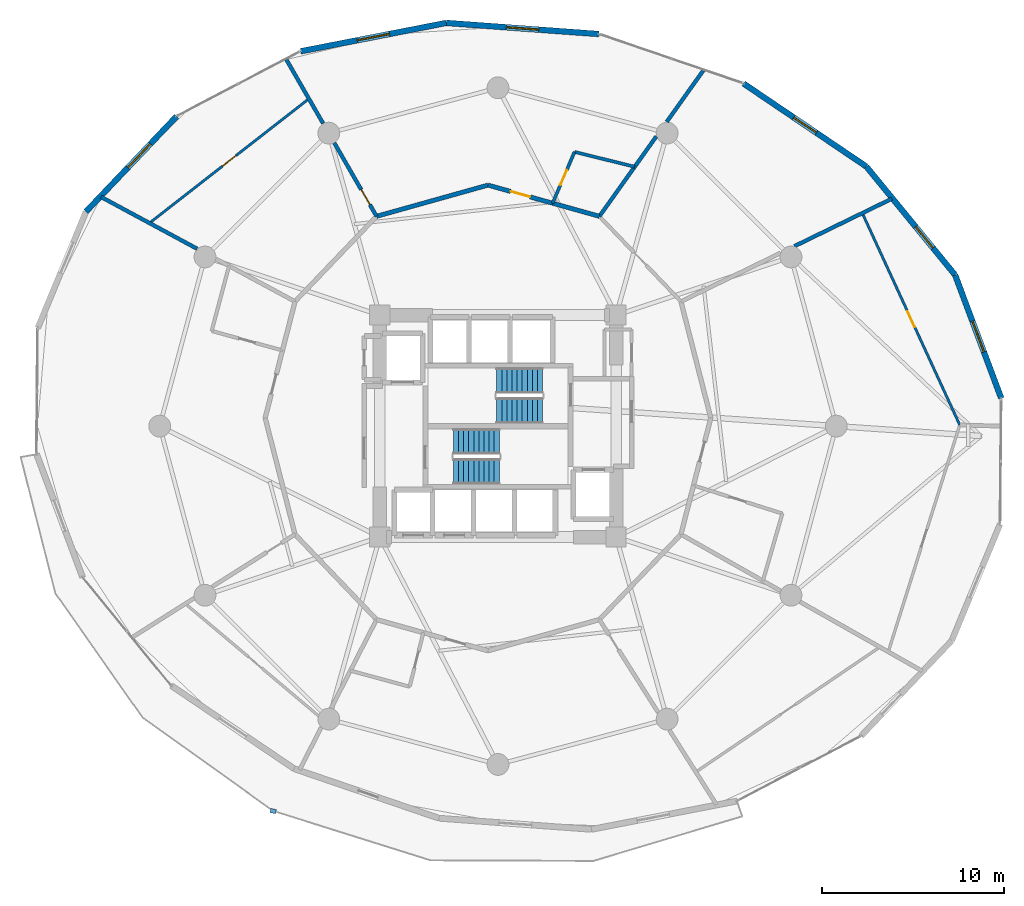
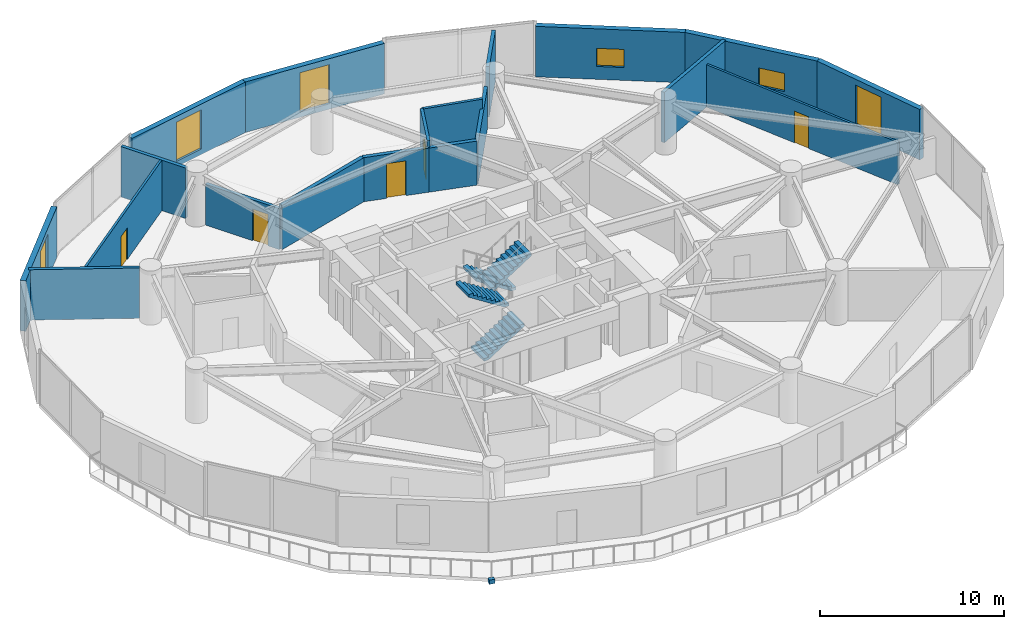
# One storey, part 17 of 20: 19 walls, 6 windows, 5 doors, 4 stair flights, 1 discrete accessory, 11 openings, 2 elements without a shape of their own.
"""IFC4 building model written with IfcOpenShell, lengths in metres."""

from ifc_helpers import new_model, si_unit, direction, frame, frame_2d, origin, origin_2d, place, context, subcontext, project, spatial, polyline, rectangle, outline, extrude, material, layer, layer_set, type_object, element, fill, aggregate, save


model = new_model("IFC4")

# Units and contexts
model_context = context("Model", 3, precision=1e-05, world=origin(), true_north=direction((0.0, 1.0)))
body_context = subcontext(model_context, "Body", "Model", "MODEL_VIEW")
ifc_project = project(units=[si_unit("LENGTHUNIT", "METRE"), si_unit("AREAUNIT", "SQUARE_METRE"), si_unit("VOLUMEUNIT", "CUBIC_METRE"), si_unit("PLANEANGLEUNIT", "RADIAN"), si_unit("MASSUNIT", "GRAM", prefix="KILO")], contexts=[model_context])

# Site, building, storey
site_placement = place(None, origin())
site = spatial("IfcSite", under=ifc_project, at=site_placement, CompositionType="ELEMENT")
building_placement = place(site_placement, origin())
building = spatial("IfcBuilding", under=site, at=building_placement, Name="Solvirekh Grand Hotel", CompositionType="ELEMENT")
storey_placement = place(building_placement, frame((0.0, 0.0, 50.0)))
storey = spatial("IfcBuildingStorey", under=building, at=storey_placement, Name="L11", CompositionType="ELEMENT", Elevation=50.0)

# Wall, opening, window
ifc_material_1 = material(Name="Precast concrete C45/55", Category="concrete")
ifc_layer_1 = layer(ifc_material_1, 0.320068359375)
ifc_layer_set_1 = layer_set([ifc_layer_1], Name="Precast concrete C45/55")
wall_type_1 = type_object("IfcWallType", Name="ExtLobbyWall_RC320", PredefinedType="SOLIDWALL", material=ifc_layer_set_1)
wall_1_placement = place(storey_placement, frame((25.135986328125, 8.30810546875, 0.0), z_axis=(0.0, 0.0, 1.0), x_axis=(0.350187429463, -0.936679648677, 0.0)))
wall_1 = element("IfcWall", 1, at=wall_1_placement, inside=storey, type_object=wall_type_1, Name="L11 exterior structural wall chord 2", PredefinedType="SOLIDWALL", context=body_context, shape_type="SweptSolid", body=[
    extrude(rectangle(XDim=7.233154296875, YDim=0.320068359375, at=frame_2d((3.61669921875, 0.0))), origin(), (0.0, 0.0, 1.0), 3.340087890625),
])
opening_1_placement = place(wall_1_placement, frame((2.717041015625, 0.0, 0.35009765625)))
opening_1 = element("IfcOpeningElement", 2, at=opening_1_placement, cuts=wall_1, Name="Opening W02", PredefinedType="OPENING", context=body_context, shape_type="SweptSolid", body=[
    extrude(rectangle(XDim=1.800048828125, YDim=2.60009765625, at=frame_2d((0.89990234375, 1.300048828125))), frame((0.0, 0.169921875, 0.0), z_axis=(0.0, -1.0, 0.0), x_axis=(1.0, 0.0, 0.0)), (0.0, 0.0, 1.0), 0.340087890625),
])
ifc_material_2 = material(Name="Low-E Tinted Bronze Laminated Glass", Category="aluminium")
window_type_1 = type_object("IfcWindowType", Name="Win_LobbyExt_1800X2600", PartitioningType="SINGLE_PANEL", PredefinedType="WINDOW", material=ifc_material_2)
window_1_placement = place(opening_1_placement, origin())
window_1 = element("IfcWindow", 3, at=window_1_placement, inside=storey, type_object=window_type_1, Name="L11 panoramic bronze-framed window 2", OverallHeight=2.60009765625, OverallWidth=1.800048828125, PartitioningType="SINGLE_PANEL", PredefinedType="WINDOW", context=body_context, shape_type="SweptSolid", body=[
    extrude(rectangle(XDim=1.800048828125, YDim=2.60009765625, at=frame_2d((0.89990234375, 1.300048828125))), frame((0.0, 0.030029296875, 0.0), z_axis=(0.0, -1.0, 0.0), x_axis=(1.0, 0.0, 0.0)), (0.0, 0.0, 1.0), 0.06005859375),
])
fill(opening_1, window_1)

wall_2_placement = place(storey_placement, frame((20.2548828125, 14.27001953125, 0.0), z_axis=(0.0, 0.0, 1.0), x_axis=(0.633484495702, -0.773755383636, 0.0)))
wall_2 = element("IfcWall", 4, at=wall_2_placement, inside=storey, type_object=wall_type_1, Name="L11 cantilevered deck support wall chord 3", PredefinedType="SOLIDWALL", context=body_context, shape_type="SweptSolid", body=[
    extrude(rectangle(XDim=7.705078125, YDim=0.320068359375, at=frame_2d((3.8525390625, 0.0))), origin(), (0.0, 0.0, 1.0), 3.340087890625),
])
opening_2_placement = place(wall_2_placement, frame((4.279052734375, 0.0, 0.85009765625)))
opening_2 = element("IfcOpeningElement", 5, at=opening_2_placement, cuts=wall_2, Name="Opening W05", PredefinedType="OPENING", context=body_context, shape_type="SweptSolid", body=[
    extrude(rectangle(XDim=1.5, YDim=1.199951171875, at=frame_2d((0.75, 0.60009765625))), frame((0.0, 0.169921875, 0.0), z_axis=(0.0, -1.0, 0.0), x_axis=(1.0, 0.0, 0.0)), (0.0, 0.0, 1.0), 0.340087890625),
])
window_type_2 = type_object("IfcWindowType", Name="Win_PlantVent_1500X1200", PartitioningType="SINGLE_PANEL", PredefinedType="WINDOW", material=ifc_material_2)
window_2_placement = place(opening_2_placement, origin())
window_2 = element("IfcWindow", 6, at=window_2_placement, inside=storey, type_object=window_type_2, Name="L11 bronze-framed vision ribbon window 3", OverallHeight=1.199951171875, OverallWidth=1.5, PartitioningType="SINGLE_PANEL", PredefinedType="WINDOW", context=body_context, shape_type="SweptSolid", body=[
    extrude(rectangle(XDim=1.5, YDim=1.199951171875, at=frame_2d((0.75, 0.60009765625))), frame((0.0, 0.030029296875, 0.0), z_axis=(0.0, -1.0, 0.0), x_axis=(1.0, 0.0, 0.0)), (0.0, 0.0, 1.0), 0.06005859375),
])
fill(opening_2, window_2)

wall_3_placement = place(storey_placement, frame((13.50390625, 18.8349609375, 0.0), z_axis=(0.0, 0.0, 1.0), x_axis=(0.828391352283, -0.560149772349, 0.0)))
wall_3 = element("IfcWall", 7, at=wall_3_placement, inside=storey, type_object=wall_type_1, Name="L11 cantilevered deck support wall chord 4", PredefinedType="SOLIDWALL", context=body_context, shape_type="SweptSolid", body=[
    extrude(rectangle(XDim=8.1494140625, YDim=0.320068359375, at=frame_2d((4.07470703125, 0.0))), origin(), (0.0, 0.0, 1.0), 3.340087890625),
])
opening_3_placement = place(wall_3_placement, frame((3.324951171875, 0.0, 0.85009765625)))
opening_3 = element("IfcOpeningElement", 8, at=opening_3_placement, cuts=wall_3, Name="Opening W05", PredefinedType="OPENING", context=body_context, shape_type="SweptSolid", body=[
    extrude(rectangle(XDim=1.5, YDim=1.199951171875, at=frame_2d((0.75, 0.60009765625))), frame((0.0, 0.169921875, 0.0), z_axis=(0.0, -1.0, 0.0), x_axis=(1.0, 0.0, 0.0)), (0.0, 0.0, 1.0), 0.340087890625),
])
window_3_placement = place(opening_3_placement, origin())
window_3 = element("IfcWindow", 9, at=window_3_placement, inside=storey, type_object=window_type_2, Name="L11 bronze-framed vision ribbon window 4", OverallHeight=1.199951171875, OverallWidth=1.5, PartitioningType="SINGLE_PANEL", PredefinedType="WINDOW", context=body_context, shape_type="SweptSolid", body=[
    extrude(rectangle(XDim=1.5, YDim=1.199951171875, at=frame_2d((0.75, 0.60009765625))), frame((0.0, 0.030029296875, 0.0), z_axis=(0.0, -1.0, 0.0), x_axis=(1.0, 0.0, 0.0)), (0.0, 0.0, 1.0), 0.06005859375),
])
fill(opening_3, window_3)

wall_4_placement = place(storey_placement, frame((-2.846923828125, 22.16796875, 0.0), z_axis=(0.0, 0.0, 1.0), x_axis=(0.997358597799, -0.072634891044, 0.0)))
wall_4 = element("IfcWall", 10, at=wall_4_placement, inside=storey, type_object=wall_type_1, Name="L11 exterior structural wall chord 6", PredefinedType="SOLIDWALL", context=body_context, shape_type="SweptSolid", body=[
    extrude(rectangle(XDim=8.4130859375, YDim=0.320068359375, at=frame_2d((4.20654296875, 0.0))), origin(), (0.0, 0.0, 1.0), 3.340087890625),
])
opening_4_placement = place(wall_4_placement, frame((3.306884765625, 0.0, 0.35009765625)))
opening_4 = element("IfcOpeningElement", 11, at=opening_4_placement, cuts=wall_4, Name="Opening W02", PredefinedType="OPENING", context=body_context, shape_type="SweptSolid", body=[
    extrude(rectangle(XDim=1.800048828125, YDim=2.60009765625, at=frame_2d((0.89990234375, 1.300048828125))), frame((0.0, 0.169921875, 0.0), z_axis=(0.0, -1.0, 0.0), x_axis=(1.0, 0.0, 0.0)), (0.0, 0.0, 1.0), 0.340087890625),
])
window_4_placement = place(opening_4_placement, origin())
window_4 = element("IfcWindow", 12, at=window_4_placement, inside=storey, type_object=window_type_1, Name="L11 panoramic bronze-framed window 6", OverallHeight=2.60009765625, OverallWidth=1.800048828125, PartitioningType="SINGLE_PANEL", PredefinedType="WINDOW", context=body_context, shape_type="SweptSolid", body=[
    extrude(rectangle(XDim=1.800048828125, YDim=2.60009765625, at=frame_2d((0.89990234375, 1.300048828125))), frame((0.0, 0.030029296875, 0.0), z_axis=(0.0, -1.0, 0.0), x_axis=(1.0, 0.0, 0.0)), (0.0, 0.0, 1.0), 0.06005859375),
])
fill(opening_4, window_4)

wall_5_placement = place(storey_placement, frame((-10.845947265625, 20.60888671875, 0.0), z_axis=(0.0, 0.0, 1.0), x_axis=(0.981529850993, 0.191309047382, 0.0)))
wall_5 = element("IfcWall", 13, at=wall_5_placement, inside=storey, type_object=wall_type_1, Name="L11 exterior structural wall chord 7", PredefinedType="SOLIDWALL", context=body_context, shape_type="SweptSolid", body=[
    extrude(rectangle(XDim=8.149658203125, YDim=0.320068359375, at=frame_2d((4.07470703125, 0.0))), origin(), (0.0, 0.0, 1.0), 3.340087890625),
])
opening_5_placement = place(wall_5_placement, frame((3.175048828125, 0.0, 0.35009765625)))
opening_5 = element("IfcOpeningElement", 14, at=opening_5_placement, cuts=wall_5, Name="Opening W02", PredefinedType="OPENING", context=body_context, shape_type="SweptSolid", body=[
    extrude(rectangle(XDim=1.800048828125, YDim=2.60009765625, at=frame_2d((0.89990234375, 1.300048828125))), frame((0.0, 0.169921875, 0.0), z_axis=(0.0, -1.0, 0.0), x_axis=(1.0, 0.0, 0.0)), (0.0, 0.0, 1.0), 0.340087890625),
])
window_5_placement = place(opening_5_placement, origin())
window_5 = element("IfcWindow", 15, at=window_5_placement, inside=storey, type_object=window_type_1, Name="L11 panoramic bronze-framed window 7", OverallHeight=2.60009765625, OverallWidth=1.800048828125, PartitioningType="SINGLE_PANEL", PredefinedType="WINDOW", context=body_context, shape_type="SweptSolid", body=[
    extrude(rectangle(XDim=1.800048828125, YDim=2.60009765625, at=frame_2d((0.89990234375, 1.300048828125))), frame((0.0, 0.030029296875, 0.0), z_axis=(0.0, -1.0, 0.0), x_axis=(1.0, 0.0, 0.0)), (0.0, 0.0, 1.0), 0.06005859375),
])
fill(opening_5, window_5)

wall_6_placement = place(storey_placement, frame((-22.654052734375, 11.7900390625, 0.0), z_axis=(0.0, 0.0, 1.0), x_axis=(0.688922418365, 0.724835085708, 0.0)))
wall_6 = element("IfcWall", 16, at=wall_6_placement, inside=storey, type_object=wall_type_1, Name="L11 exterior structural wall chord 9", PredefinedType="SOLIDWALL", context=body_context, shape_type="SweptSolid", body=[
    extrude(rectangle(XDim=7.233154296875, YDim=0.320068359375, at=frame_2d((3.61669921875, 0.0))), origin(), (0.0, 0.0, 1.0), 3.340087890625),
])
opening_6_placement = place(wall_6_placement, frame((3.344970703125, 0.0, 0.35009765625)))
opening_6 = element("IfcOpeningElement", 17, at=opening_6_placement, cuts=wall_6, Name="Opening W02", PredefinedType="OPENING", context=body_context, shape_type="SweptSolid", body=[
    extrude(rectangle(XDim=1.800048828125, YDim=2.60009765625, at=frame_2d((0.89990234375, 1.300048828125))), frame((0.0, 0.169921875, 0.0), z_axis=(0.0, -1.0, 0.0), x_axis=(1.0, 0.0, 0.0)), (0.0, 0.0, 1.0), 0.340087890625),
])
window_6_placement = place(opening_6_placement, origin())
window_6 = element("IfcWindow", 18, at=window_6_placement, inside=storey, type_object=window_type_1, Name="L11 panoramic bronze-framed window 9", OverallHeight=2.60009765625, OverallWidth=1.800048828125, PartitioningType="SINGLE_PANEL", PredefinedType="WINDOW", context=body_context, shape_type="SweptSolid", body=[
    extrude(rectangle(XDim=1.800048828125, YDim=2.60009765625, at=frame_2d((0.89990234375, 1.300048828125))), frame((0.0, 0.030029296875, 0.0), z_axis=(0.0, -1.0, 0.0), x_axis=(1.0, 0.0, 0.0)), (0.0, 0.0, 1.0), 0.06005859375),
])
fill(opening_6, window_6)

# Walls
ifc_material_3 = material(Name="Acoustic Gypsum Partition Assembly")
ifc_layer_2 = layer(ifc_material_3, 0.239990234375)
ifc_layer_set_2 = layer_set([ifc_layer_2], Name="Acoustic Gypsum Partition Assembly")
wall_type_2 = type_object("IfcWallType", Name="Part_Corridor_240", PredefinedType="PARTITIONING", material=ifc_layer_set_2)
wall_7_placement = place(storey_placement, frame((5.574951171875, 11.534912109375, 0.0), z_axis=(0.0, 0.0, 1.0), x_axis=(-0.962983004146, 0.269562114782, 0.0)))
element("IfcWall", 19, at=wall_7_placement, inside=storey, type_object=wall_type_2, Name="L11 En-suite Bathroom 1301 corridor backing wall", PredefinedType="PARTITIONING", context=body_context, shape_type="SweptSolid", body=[
    extrude(rectangle(XDim=2.6708984375, YDim=0.239990234375, at=frame_2d((1.33544921875, 0.0))), origin(), (0.0, 0.0, 1.0), 2.9189453125),
])
wall_8_placement = place(storey_placement, frame((-0.550048828125, 13.25, 0.0), z_axis=(0.0, 0.0, 1.0), x_axis=(-0.962960431872, -0.269642738915, 0.0)))
element("IfcWall", 20, at=wall_8_placement, inside=storey, type_object=wall_type_2, Name="L11 Diplomatic Suite 1301 Living Room corridor wall 1", PredefinedType="PARTITIONING", context=body_context, shape_type="SweptSolid", body=[
    extrude(rectangle(XDim=6.360595703125, YDim=0.239990234375, at=frame_2d((3.18017578125, 0.0))), origin(), (0.0, 0.0, 1.0), 2.9189453125),
])

# Wall, opening, door
wall_9_placement = place(storey_placement, frame((3.0029296875, 12.2548828125, 0.0), z_axis=(0.0, 0.0, 1.0), x_axis=(-0.962944088122, 0.269701099648, 0.0)))
wall_9 = element("IfcWall", 21, at=wall_9_placement, inside=storey, type_object=wall_type_2, Name="L11 Diplomatic Suite 1301 Living Room entrance wall", PredefinedType="PARTITIONING", context=body_context, shape_type="SweptSolid", body=[
    extrude(rectangle(XDim=3.689697265625, YDim=0.239990234375, at=frame_2d((1.8447265625, 0.0))), origin(), (0.0, 0.0, 1.0), 2.9189453125),
])
opening_7_placement = place(wall_9_placement, frame((1.294921875, 0.0, 0.0)))
opening_7 = element("IfcOpeningElement", 22, at=opening_7_placement, cuts=wall_9, Name="Opening D08", PredefinedType="OPENING", context=body_context, shape_type="SweptSolid", body=[
    extrude(rectangle(XDim=1.10009765625, YDim=2.300048828125, at=frame_2d((0.550048828125, 1.14990234375))), frame((0.0, 0.1298828125, 0.0), z_axis=(0.0, -1.0, 0.0), x_axis=(1.0, 0.0, 0.0)), (0.0, 0.0, 1.0), 0.260009765625),
])
ifc_material_4 = material(Name="Fire-Rated Steel Door Assembly", Category="steel")
door_type_1 = type_object("IfcDoorType", Name="Door_SuiteEntry_1100X2300", OperationType="NOTDEFINED", PredefinedType="DOOR", material=ifc_material_4)
door_1_placement = place(opening_7_placement, origin())
door_1 = element("IfcDoor", 23, at=door_1_placement, inside=storey, type_object=door_type_1, Name="L11 Diplomatic Suite 1301 Living Room entrance door", OperationType="SINGLE_SWING_LEFT", OverallHeight=2.300048828125, OverallWidth=1.10009765625, PredefinedType="DOOR", context=body_context, shape_type="SweptSolid", body=[
    extrude(rectangle(XDim=1.10009765625, YDim=2.300048828125, at=frame_2d((0.550048828125, 1.14990234375))), frame((0.0, 0.02490234375, 0.0), z_axis=(0.0, -1.0, 0.0), x_axis=(1.0, 0.0, 0.0)), (0.0, 0.0, 1.0), 0.050048828125),
])
fill(opening_7, door_1)

ifc_layer_3 = layer(ifc_material_3, 0.135009765625)
ifc_layer_set_3 = layer_set([ifc_layer_3], Name="Acoustic Gypsum Partition Assembly")
wall_type_3 = type_object("IfcWallType", Name="Part_RoomInt_135", PredefinedType="PARTITIONING", material=ifc_layer_set_3)
wall_10_placement = place(storey_placement, frame((-10.39404296875, 17.9970703125, 0.0), z_axis=(0.0, 0.0, 1.0), x_axis=(-0.788726154844, -0.614744705276, 0.0)))
wall_10 = element("IfcWall", 24, at=wall_10_placement, inside=storey, type_object=wall_type_3, Name="L11 Diplomatic Suite 1301 Suite Foyer bedroom screen wall", PredefinedType="PARTITIONING", context=body_context, shape_type="SweptSolid", body=[
    extrude(rectangle(XDim=11.115234375, YDim=0.135009765625, at=frame_2d((5.5576171875, 0.0))), origin(), (0.0, 0.0, 1.0), 3.340087890625),
])
opening_8_placement = place(wall_10_placement, frame((5.0830078125, 0.0, 0.0)))
opening_8 = element("IfcOpeningElement", 25, at=opening_8_placement, cuts=wall_10, Name="Opening D10", PredefinedType="OPENING", context=body_context, shape_type="SweptSolid", body=[
    extrude(rectangle(XDim=0.949951171875, YDim=2.10009765625, at=frame_2d((0.47509765625, 1.050048828125))), frame((0.0, 0.07763671875, 0.0), z_axis=(0.0, -1.0, 0.0), x_axis=(1.0, 0.0, 0.0)), (0.0, 0.0, 1.0), 0.155029296875),
])
ifc_material_5 = material(Name="Anodized Bronze Aluminium 6063-T6", Category="aluminium")
door_type_2 = type_object("IfcDoorType", Name="Door_RoomInt_950X2100", OperationType="NOTDEFINED", PredefinedType="DOOR", material=ifc_material_5)
door_2_placement = place(opening_8_placement, origin())
door_2 = element("IfcDoor", 26, at=door_2_placement, inside=storey, type_object=door_type_2, Name="L11 Diplomatic Suite 1301 Suite Foyer master bedroom door", OperationType="SINGLE_SWING_LEFT", OverallHeight=2.10009765625, OverallWidth=0.949951171875, PredefinedType="DOOR", context=body_context, shape_type="SweptSolid", body=[
    extrude(rectangle(XDim=0.949951171875, YDim=2.10009765625, at=frame_2d((0.47509765625, 1.050048828125))), frame((0.0, 0.02490234375, 0.0), z_axis=(0.0, -1.0, 0.0), x_axis=(1.0, 0.0, 0.0)), (0.0, 0.0, 1.0), 0.050048828125),
])
fill(opening_8, door_2)

wall_11_placement = place(storey_placement, frame((25.386962890625, 0.06298828125, 0.0), z_axis=(0.0, 0.0, 1.0), x_axis=(-0.417925097851, 0.9084814872, 0.0)))
wall_11 = element("IfcWall", 27, at=wall_11_placement, inside=storey, type_object=wall_type_3, Name="L11 Executive Suite 1304 Panorama Suite Study bedroom screen wall", PredefinedType="PARTITIONING", context=body_context, shape_type="SweptSolid", body=[
    extrude(rectangle(XDim=12.8203125, YDim=0.135009765625, at=frame_2d((6.41015625, 0.0))), origin(), (0.0, 0.0, 1.0), 2.806884765625),
])
opening_9_placement = place(wall_11_placement, frame((5.93505859375, 0.0, 0.0)))
opening_9 = element("IfcOpeningElement", 28, at=opening_9_placement, cuts=wall_11, Name="Opening D10", PredefinedType="OPENING", context=body_context, shape_type="SweptSolid", body=[
    extrude(rectangle(XDim=0.949951171875, YDim=2.10009765625, at=frame_2d((0.47509765625, 1.050048828125))), frame((0.0, 0.07763671875, 0.0), z_axis=(0.0, -1.0, 0.0), x_axis=(1.0, 0.0, 0.0)), (0.0, 0.0, 1.0), 0.155029296875),
])
door_3_placement = place(opening_9_placement, origin())
door_3 = element("IfcDoor", 29, at=door_3_placement, inside=storey, type_object=door_type_2, Name="L11 Executive Suite 1304 Panorama Suite Study master bedroom door", OperationType="SINGLE_SWING_LEFT", OverallHeight=2.10009765625, OverallWidth=0.949951171875, PredefinedType="DOOR", context=body_context, shape_type="SweptSolid", body=[
    extrude(rectangle(XDim=0.949951171875, YDim=2.10009765625, at=frame_2d((0.47509765625, 1.050048828125))), frame((0.0, 0.02490234375, 0.0), z_axis=(0.0, -1.0, 0.0), x_axis=(1.0, 0.0, 0.0)), (0.0, 0.0, 1.0), 0.050048828125),
])
fill(opening_9, door_3)

# Walls
ifc_layer_4 = layer(ifc_material_3, 0.2099609375)
ifc_layer_set_4 = layer_set([ifc_layer_4], Name="Acoustic Gypsum Partition Assembly")
wall_type_4 = type_object("IfcWallType", Name="Part_SuiteDemise_210", PredefinedType="PARTITIONING", material=ifc_layer_set_4)
wall_12_placement = place(storey_placement, frame((16.297119140625, 9.89111328125, 0.0), z_axis=(0.0, 0.0, 1.0), x_axis=(0.898922003025, 0.438108699386, 0.0)))
element("IfcWall", 30, at=wall_12_placement, inside=storey, type_object=wall_type_4, Name="L11 suite radial wall 2 (B)", PredefinedType="PARTITIONING", context=body_context, shape_type="SweptSolid", body=[
    extrude(rectangle(XDim=5.95703125, YDim=0.2099609375, at=frame_2d((2.978515625, 0.0))), origin(), (0.0, 0.0, 1.0), 3.340087890625),
])
wall_13_placement = place(storey_placement, frame((5.574951171875, 11.534912109375, 0.0), z_axis=(0.0, 0.0, 1.0), x_axis=(0.580317556577, 0.814390283297, 0.0)))
element("IfcWall", 31, at=wall_13_placement, inside=storey, type_object=wall_type_4, Name="L11 suite radial wall 3 (A)", PredefinedType="PARTITIONING", context=body_context, shape_type="SweptSolid", body=[
    extrude(rectangle(XDim=5.3955078125, YDim=0.2099609375, at=frame_2d((2.69775390625, 0.0))), origin(), (0.0, 0.0, 1.0), 2.7080078125),
])
wall_14_placement = place(storey_placement, frame((9.27587890625, 16.72802734375, 0.0), z_axis=(0.0, 0.0, 1.0), x_axis=(0.580431843094, 0.814308833013, 0.0)))
element("IfcWall", 32, at=wall_14_placement, inside=storey, type_object=wall_type_4, Name="L11 suite radial wall 3 (B)", PredefinedType="PARTITIONING", context=body_context, shape_type="SweptSolid", body=[
    extrude(rectangle(XDim=3.466796875, YDim=0.2099609375, at=frame_2d((1.7333984375, 0.0))), origin(), (0.0, 0.0, 1.0), 3.340087890625),
])

# Wall, opening, door
wall_15_placement = place(storey_placement, frame((-6.675048828125, 11.534912109375, 0.0), z_axis=(0.0, 0.0, 1.0), x_axis=(-0.498786523098, 0.866724872365, 0.0)))
wall_15 = element("IfcWall", 33, at=wall_15_placement, inside=storey, type_object=wall_type_4, Name="L11 suite radial wall 5 (A)", PredefinedType="PARTITIONING", context=body_context, shape_type="SweptSolid", body=[
    extrude(rectangle(XDim=4.6533203125, YDim=0.2099609375, at=frame_2d((2.32666015625, 0.0))), origin(), (0.0, 0.0, 1.0), 2.7080078125),
])
opening_10_placement = place(wall_15_placement, frame((0.740966796875, 0.0, 0.0)))
opening_10 = element("IfcOpeningElement", 34, at=opening_10_placement, cuts=wall_15, Name="Opening D10", PredefinedType="OPENING", context=body_context, shape_type="SweptSolid", body=[
    extrude(rectangle(XDim=0.949951171875, YDim=2.10009765625, at=frame_2d((0.47509765625, 1.050048828125))), frame((0.0, 0.114990234375, 0.0), z_axis=(0.0, -1.0, 0.0), x_axis=(1.0, 0.0, 0.0)), (0.0, 0.0, 1.0), 0.22998046875),
])
door_4_placement = place(opening_10_placement, origin())
door_4 = element("IfcDoor", 35, at=door_4_placement, inside=storey, type_object=door_type_2, Name="L11 Diplomatic Suite 1301 Suite Foyer suite connecting door", OperationType="SINGLE_SWING_RIGHT", OverallHeight=2.10009765625, OverallWidth=0.949951171875, PredefinedType="DOOR", context=body_context, shape_type="SweptSolid", body=[
    extrude(rectangle(XDim=0.949951171875, YDim=2.10009765625, at=frame_2d((0.47509765625, 1.050048828125))), frame((0.0, 0.02490234375, 0.0), z_axis=(0.0, -1.0, 0.0), x_axis=(1.0, 0.0, 0.0)), (0.0, 0.0, 1.0), 0.050048828125),
])
fill(opening_10, door_4)

# Walls
wall_16_placement = place(storey_placement, frame((-9.614990234375, 16.64208984375, 0.0), z_axis=(0.0, 0.0, 1.0), x_axis=(-0.498747569817, 0.8667472882, 0.0)))
element("IfcWall", 36, at=wall_16_placement, inside=storey, type_object=wall_type_4, Name="L11 suite radial wall 5 (B)", PredefinedType="PARTITIONING", context=body_context, shape_type="SweptSolid", body=[
    extrude(rectangle(XDim=4.04833984375, YDim=0.2099609375, at=frame_2d((2.024169921875, 0.0))), origin(), (0.0, 0.0, 1.0), 3.340087890625),
])
wall_17_placement = place(storey_placement, frame((-16.535888671875, 9.7490234375, 0.0), z_axis=(0.0, 0.0, 1.0), x_axis=(-0.880228451762, 0.474550179336, 0.0)))
element("IfcWall", 37, at=wall_17_placement, inside=storey, type_object=wall_type_4, Name="L11 suite radial wall 6 (B)", PredefinedType="PARTITIONING", context=body_context, shape_type="SweptSolid", body=[
    extrude(rectangle(XDim=6.011962890625, YDim=0.2099609375, at=frame_2d((3.005859375, 0.0))), origin(), (0.0, 0.0, 1.0), 3.340087890625),
])
ifc_layer_5 = layer(ifc_material_3, 0.175048828125)
ifc_layer_set_5 = layer_set([ifc_layer_5], Name="Acoustic Gypsum Partition Assembly")
wall_type_5 = type_object("IfcWallType", Name="Plumb_Ensuite_175", PredefinedType="PLUMBINGWALL", material=ifc_layer_set_5)
wall_18_placement = place(storey_placement, frame((7.51708984375, 14.260009765625, 0.0), z_axis=(0.0, 0.0, 1.0), x_axis=(-0.971054260807, 0.238859001441, 0.0)))
element("IfcWall", 38, at=wall_18_placement, inside=storey, type_object=wall_type_5, Name="L11 En-suite Bathroom 1301 outer plumbing wall", PredefinedType="PLUMBINGWALL", context=body_context, shape_type="SweptSolid", body=[
    extrude(rectangle(XDim=3.40771484375, YDim=0.175048828125, at=frame_2d((1.703857421875, 0.0))), origin(), (0.0, 0.0, 1.0), 3.340087890625),
])

# Wall, opening, door
wall_19_placement = place(storey_placement, frame((3.0029296875, 12.2548828125, 0.0), z_axis=(0.0, 0.0, 1.0), x_axis=(0.393063770017, 0.919511214016, 0.0)))
wall_19 = element("IfcWall", 39, at=wall_19_placement, inside=storey, type_object=wall_type_5, Name="L11 En-suite Bathroom 1301 entry plumbing wall", PredefinedType="PLUMBINGWALL", context=body_context, shape_type="SweptSolid", body=[
    extrude(rectangle(XDim=3.06591796875, YDim=0.175048828125, at=frame_2d((1.532958984375, 0.0))), origin(), (0.0, 0.0, 1.0), 3.340087890625),
])
opening_11_placement = place(wall_19_placement, frame((1.0830078125, 0.0, 0.0)))
opening_11 = element("IfcOpeningElement", 40, at=opening_11_placement, cuts=wall_19, Name="Opening D09", PredefinedType="OPENING", context=body_context, shape_type="SweptSolid", body=[
    extrude(rectangle(XDim=0.89990234375, YDim=2.10009765625, at=frame_2d((0.449951171875, 1.050048828125))), frame((0.0, 0.09765625, 0.0), z_axis=(0.0, -1.0, 0.0), x_axis=(1.0, 0.0, 0.0)), (0.0, 0.0, 1.0), 0.195068359375),
])
door_type_3 = type_object("IfcDoorType", Name="Door_Ensuite_900X2100", OperationType="NOTDEFINED", PredefinedType="DOOR", material=ifc_material_5)
door_5_placement = place(opening_11_placement, origin())
door_5 = element("IfcDoor", 41, at=door_5_placement, inside=storey, type_object=door_type_3, Name="L11 En-suite Bathroom 1301 door", OperationType="SINGLE_SWING_RIGHT", OverallHeight=2.10009765625, OverallWidth=0.89990234375, PredefinedType="DOOR", context=body_context, shape_type="SweptSolid", body=[
    extrude(rectangle(XDim=0.89990234375, YDim=2.10009765625, at=frame_2d((0.449951171875, 1.050048828125))), frame((0.0, 0.02490234375, 0.0), z_axis=(0.0, -1.0, 0.0), x_axis=(1.0, 0.0, 0.0)), (0.0, 0.0, 1.0), 0.050048828125),
])
fill(opening_11, door_5)

# Stair, stair flights
ifc_material_6 = material(Name="Concrete C40/50", Category="concrete")
stair_type = type_object("IfcStairType", Name="Stair_Core_1450", PredefinedType="HALF_TURN_STAIR", material=ifc_material_6)
stair_1_placement = place(storey_placement, origin())
stair_1 = element("IfcStair", 42, at=stair_1_placement, inside=storey, type_object=stair_type, Name="L11 Enclosed exit stair ST-1", PredefinedType="HALF_TURN_STAIR")
stair_flight_type = type_object("IfcStairFlightType", Name="Flight_Core_1450", PredefinedType="STRAIGHT", material=ifc_material_6)
stair_flight_1_placement = place(storey_placement, frame((-2.449951171875, -2.5, 0.0), z_axis=(0.0, 0.0, 1.0), x_axis=(1.0, 0.0, 0.0)))
stair_flight_1 = element("IfcStairFlight", 43, at=stair_flight_1_placement, type_object=stair_flight_type, Name="ST-1 flight 1", NumberOfRisers=10, NumberOfTreads=9, PredefinedType="STRAIGHT", RiserHeight=0.18, TreadLength=0.28, context=body_context, shape_type="SweptSolid", body=[
    extrude(outline(polyline([(0.0, 0.0), (0.0, 0.179931640625), (0.280029296875, 0.179931640625), (0.280029296875, 0.360107421875), (0.56005859375, 0.360107421875), (0.56005859375, 0.5400390625), (0.840087890625, 0.5400390625), (0.840087890625, 0.719970703125), (1.1201171875, 0.719970703125), (1.1201171875, 0.89990234375), (1.39990234375, 0.89990234375), (1.39990234375, 1.080078125), (1.679931640625, 1.080078125), (1.679931640625, 1.260009765625), (1.9599609375, 1.260009765625), (1.9599609375, 1.43994140625), (2.239990234375, 1.43994140625), (2.239990234375, 1.6201171875), (2.52001953125, 1.6201171875), (2.52001953125, 1.800048828125), (2.52001953125, 1.44189453125), (0.277099609375, 0.0), (0.0, 0.0)])), frame((0.0, 0.699951171875, 0.0), z_axis=(0.0, -1.0, 0.0), x_axis=(1.0, 0.0, 0.0)), (0.0, 0.0, 1.0), 1.39990234375),
])
stair_flight_2_placement = place(storey_placement, frame((0.070068359375, -0.85009765625, 1.800048828125), z_axis=(0.0, 0.0, 1.0), x_axis=(-1.0, 0.0, 0.0)))
stair_flight_2 = element("IfcStairFlight", 44, at=stair_flight_2_placement, type_object=stair_flight_type, Name="ST-1 flight 2", NumberOfRisers=10, NumberOfTreads=9, PredefinedType="STRAIGHT", RiserHeight=0.18, TreadLength=0.28, context=body_context, shape_type="SweptSolid", body=[
    extrude(outline(polyline([(0.0, 0.0), (0.0, 0.179931640625), (0.280029296875, 0.179931640625), (0.280029296875, 0.360107421875), (0.56005859375, 0.360107421875), (0.56005859375, 0.5400390625), (0.840087890625, 0.5400390625), (0.840087890625, 0.719970703125), (1.1201171875, 0.719970703125), (1.1201171875, 0.89990234375), (1.39990234375, 0.89990234375), (1.39990234375, 1.080078125), (1.679931640625, 1.080078125), (1.679931640625, 1.260009765625), (1.9599609375, 1.260009765625), (1.9599609375, 1.43994140625), (2.239990234375, 1.43994140625), (2.239990234375, 1.6201171875), (2.52001953125, 1.6201171875), (2.52001953125, 1.800048828125), (2.52001953125, 1.44189453125), (0.277099609375, 0.0), (0.0, 0.0)])), frame((0.0, 0.699951171875, 0.0), z_axis=(0.0, -1.0, 0.0), x_axis=(1.0, 0.0, 0.0)), (0.0, 0.0, 1.0), 1.39990234375),
])
aggregate(stair_1, [stair_flight_1, stair_flight_2])

stair_2_placement = place(storey_placement, origin())
stair_2 = element("IfcStair", 45, at=stair_2_placement, inside=storey, type_object=stair_type, Name="L11 Enclosed exit stair ST-2", PredefinedType="HALF_TURN_STAIR")
stair_flight_3_placement = place(storey_placement, frame((2.449951171875, 2.5, 0.0), z_axis=(0.0, 0.0, 1.0), x_axis=(-1.0, 0.0, 0.0)))
stair_flight_3 = element("IfcStairFlight", 46, at=stair_flight_3_placement, type_object=stair_flight_type, Name="ST-2 flight 1", NumberOfRisers=10, NumberOfTreads=9, PredefinedType="STRAIGHT", RiserHeight=0.18, TreadLength=0.28, context=body_context, shape_type="SweptSolid", body=[
    extrude(outline(polyline([(0.0, 0.0), (0.0, 0.179931640625), (0.280029296875, 0.179931640625), (0.280029296875, 0.360107421875), (0.56005859375, 0.360107421875), (0.56005859375, 0.5400390625), (0.840087890625, 0.5400390625), (0.840087890625, 0.719970703125), (1.1201171875, 0.719970703125), (1.1201171875, 0.89990234375), (1.39990234375, 0.89990234375), (1.39990234375, 1.080078125), (1.679931640625, 1.080078125), (1.679931640625, 1.260009765625), (1.9599609375, 1.260009765625), (1.9599609375, 1.43994140625), (2.239990234375, 1.43994140625), (2.239990234375, 1.6201171875), (2.52001953125, 1.6201171875), (2.52001953125, 1.800048828125), (2.52001953125, 1.44189453125), (0.277099609375, 0.0), (0.0, 0.0)])), frame((0.0, 0.699951171875, 0.0), z_axis=(0.0, -1.0, 0.0), x_axis=(1.0, 0.0, 0.0)), (0.0, 0.0, 1.0), 1.39990234375),
])
stair_flight_4_placement = place(storey_placement, frame((-0.070068359375, 0.85009765625, 1.800048828125), z_axis=(0.0, 0.0, 1.0), x_axis=(1.0, 0.0, 0.0)))
stair_flight_4 = element("IfcStairFlight", 47, at=stair_flight_4_placement, type_object=stair_flight_type, Name="ST-2 flight 2", NumberOfRisers=10, NumberOfTreads=9, PredefinedType="STRAIGHT", RiserHeight=0.18, TreadLength=0.28, context=body_context, shape_type="SweptSolid", body=[
    extrude(outline(polyline([(0.0, 0.0), (0.0, 0.179931640625), (0.280029296875, 0.179931640625), (0.280029296875, 0.360107421875), (0.56005859375, 0.360107421875), (0.56005859375, 0.5400390625), (0.840087890625, 0.5400390625), (0.840087890625, 0.719970703125), (1.1201171875, 0.719970703125), (1.1201171875, 0.89990234375), (1.39990234375, 0.89990234375), (1.39990234375, 1.080078125), (1.679931640625, 1.080078125), (1.679931640625, 1.260009765625), (1.9599609375, 1.260009765625), (1.9599609375, 1.43994140625), (2.239990234375, 1.43994140625), (2.239990234375, 1.6201171875), (2.52001953125, 1.6201171875), (2.52001953125, 1.800048828125), (2.52001953125, 1.44189453125), (0.277099609375, 0.0), (0.0, 0.0)])), frame((0.0, 0.699951171875, 0.0), z_axis=(0.0, -1.0, 0.0), x_axis=(1.0, 0.0, 0.0)), (0.0, 0.0, 1.0), 1.39990234375),
])
aggregate(stair_2, [stair_flight_3, stair_flight_4])

# Discrete accessory
ifc_material_7 = material(Name="Steel S355", Category="steel")
discrete_accessory_type = type_object("IfcDiscreteAccessoryType", Name="Acc_ThermalBracket", PredefinedType="BRACKET", material=ifc_material_7)
discrete_accessory_placement = place(storey_placement, frame((-12.35791015625, -21.1650390625, -0.27978515625), z_axis=(0.0, 0.0, 1.0), x_axis=(0.979924704621, -0.199367934417, 0.0)))
element("IfcDiscreteAccessory", 48, at=discrete_accessory_placement, inside=storey, type_object=discrete_accessory_type, Name="L11 balcony thermal-break bracket", PredefinedType="BRACKET", context=body_context, shape_type="SweptSolid", body=[
    extrude(rectangle(XDim=0.320068359375, YDim=0.239990234375, at=origin_2d()), origin(), (0.0, 0.0, 1.0), 0.280029296875),
])

save(model, "model.ifc")
